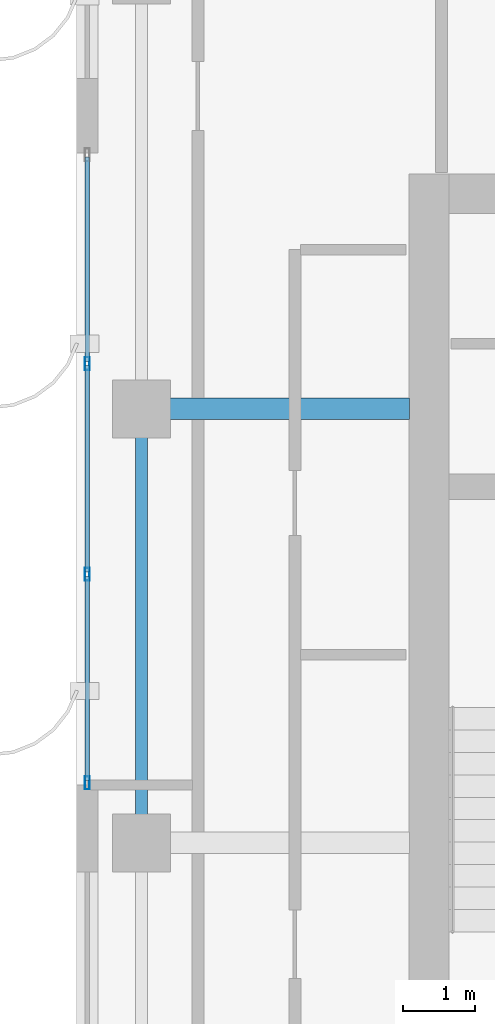
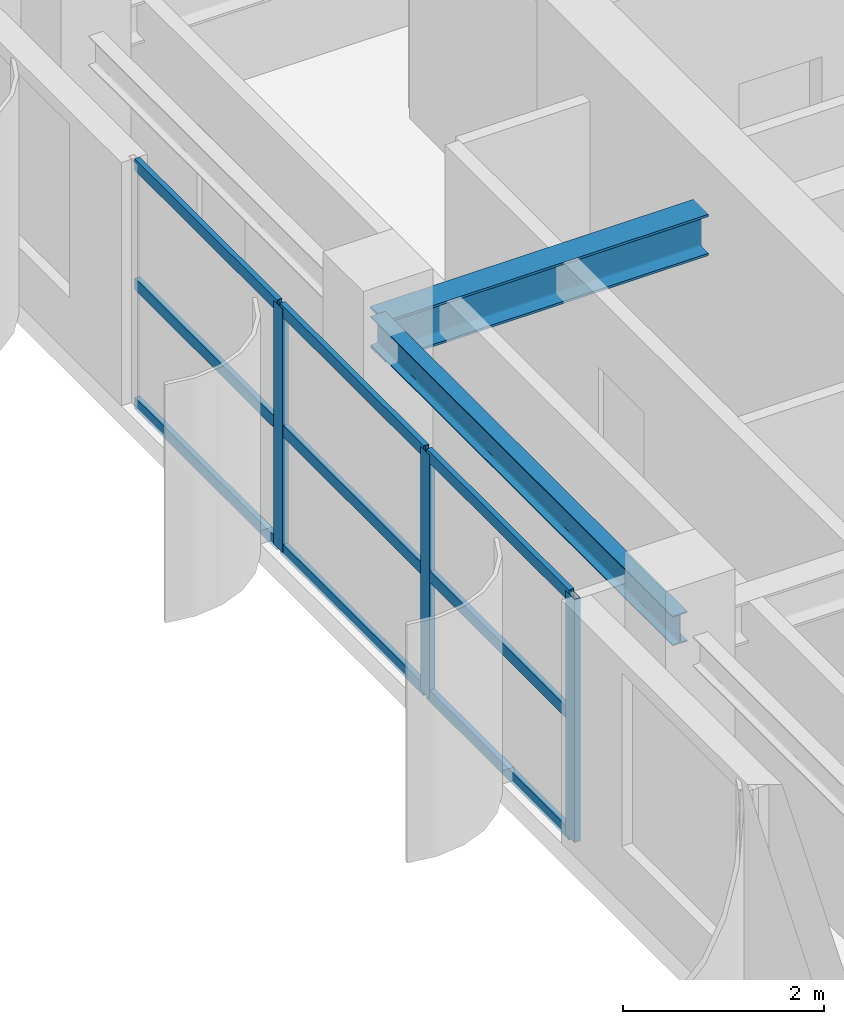
# One storey, part 7 of 25: 12 members, 2 beams, 1 element without a shape of its own.
"""IFC4 building model written with IfcOpenShell, lengths in metres."""

import ifcopenshell
import ifcopenshell.guid

model = None  # the IFC model being written
_history = None  # IfcOwnerHistory: only IFC2X3 demands one
_inside = {}  # id of a spatial element -> (the spatial element, [elements in it])
_under = {}  # id of a project, library or spatial element -> (it, [spatial elements below it])
_declared = {}  # id of a project -> (the project, [libraries it declares])
_typed = {}  # id of a type object -> (the type object, [elements of that type])
_made_of = {}  # id of a material, layer set ... -> (it, [elements and type objects made of it])


def new_model(schema):
    """Start an empty IFC model of exactly this schema.

    Asked for "IFC4X3", IfcOpenShell would pick the latest addendum, in which some entities
    have other attributes; the version numbers below select the first issue.
    IFC2X3 requires an IfcOwnerHistory on every rooted entity: one is made here for all.
    """
    global model, _history
    if schema == "IFC4X3":
        model = ifcopenshell.file(schema_version=(4, 3, 0, 0))
    else:
        model = ifcopenshell.file(schema=schema)
    _inside.clear()
    _under.clear()
    _declared.clear()
    _typed.clear()
    _made_of.clear()
    _history = None
    if model.schema == "IFC2X3":
        org = make("IfcOrganization", Name="unknown")
        user = make(
            "IfcPersonAndOrganization",
            ThePerson=make("IfcPerson", FamilyName="unknown"),
            TheOrganization=org,
        )
        app = make(
            "IfcApplication",
            ApplicationDeveloper=org,
            Version="unknown",
            ApplicationFullName="unknown",
            ApplicationIdentifier="unknown",
        )
        _history = make(
            "IfcOwnerHistory",
            OwningUser=user,
            OwningApplication=app,
            ChangeAction="ADDED",
            CreationDate=0,
        )
    return model


def make(cls, **values):
    """One entity of the class cls with the attributes given. An attribute that is None is left unset."""
    return model.create_entity(
        cls, **{name: value for name, value in values.items() if value is not None}
    )


def rooted(cls, **values):
    """An entity with a GlobalId (a new one), such as an element, a storey or a relation."""
    return make(cls, GlobalId=ifcopenshell.guid.new(), OwnerHistory=_history, **values)


def si_unit(unit_type, name, prefix=None):
    """IfcSIUnit, for example si_unit("LENGTHUNIT", "METRE", prefix="MILLI")."""
    return make("IfcSIUnit", UnitType=unit_type, Prefix=prefix, Name=name)


def assignment(units):
    """IfcUnitAssignment: the units of a project."""
    return None if units is None else make("IfcUnitAssignment", Units=units)


def point(xyz):
    """IfcCartesianPoint."""
    return None if xyz is None else make("IfcCartesianPoint", Coordinates=xyz)


def direction(xyz):
    """IfcDirection."""
    return None if xyz is None else make("IfcDirection", DirectionRatios=xyz)


def frame(location, z_axis=None, x_axis=None):
    """IfcAxis2Placement3D, a coordinate frame: its origin and axes. An axis left out is left unset."""
    return make(
        "IfcAxis2Placement3D",
        Location=point(location),
        Axis=direction(z_axis),
        RefDirection=direction(x_axis),
    )


def frame_2d(location, x_axis=None):
    """IfcAxis2Placement2D, a coordinate frame in the plane: its origin and x axis."""
    return make(
        "IfcAxis2Placement2D", Location=point(location), RefDirection=direction(x_axis)
    )


def origin():
    """The frame at (0, 0, 0) with its axes left unset."""
    return frame((0.0, 0.0, 0.0))


def origin_2d():
    """The frame at (0, 0) in the plane with its x axis left unset."""
    return frame_2d((0.0, 0.0))


def place(relative_to, where):
    """IfcLocalPlacement: puts the frame where relative to a parent placement (None: the world)."""
    return make(
        "IfcLocalPlacement", PlacementRelTo=relative_to, RelativePlacement=where
    )


def context(
    kind, dimensions, precision=None, world=None, true_north=None, identifier=None
):
    """IfcGeometricRepresentationContext, for example the 3D "Model" context."""
    return make(
        "IfcGeometricRepresentationContext",
        ContextIdentifier=identifier,
        ContextType=kind,
        CoordinateSpaceDimension=dimensions,
        Precision=precision,
        WorldCoordinateSystem=world,
        TrueNorth=true_north,
    )


def subcontext(parent, identifier, kind, view, scale=None):
    """IfcGeometricRepresentationSubContext, for example "Body" below "Model"."""
    return make(
        "IfcGeometricRepresentationSubContext",
        ContextIdentifier=identifier,
        ContextType=kind,
        ParentContext=parent,
        TargetScale=scale,
        TargetView=view,
    )


def project(units=None, contexts=None):
    """IfcProject with its units and contexts."""
    return rooted(
        "IfcProject",
        Name="project",
        RepresentationContexts=contexts,
        UnitsInContext=assignment(units),
    )


def spatial(cls, under=None, at=None, **own):
    """A site, building, storey or space (cls), placed at a placement, below another one or the project."""
    s = rooted(cls, ObjectPlacement=at, **own)
    if under is not None:
        _under.setdefault(under.id(), (under, []))[1].append(s)
    return s


def profile(cls, at=None, kind="AREA", **sizes):
    """A parametric profile (cls). Its sizes go by their IFC names, for example OverallWidth=200.0."""
    return make(cls, ProfileType=kind, Position=at, **sizes)


def hollow_rectangle(**sizes):
    """IfcRectangleHollowProfileDef."""
    return profile("IfcRectangleHollowProfileDef", **sizes)


def i_section(**sizes):
    """IfcIShapeProfileDef."""
    return profile("IfcIShapeProfileDef", **sizes)


def extrude(swept, where, along, depth):
    """IfcExtrudedAreaSolid: the profile swept, set in the frame where, extruded along a direction by depth."""
    return make(
        "IfcExtrudedAreaSolid",
        SweptArea=swept,
        Position=where,
        ExtrudedDirection=direction(along),
        Depth=depth,
    )


def shape(context_of_items, identifier, shape_type, items):
    """IfcShapeRepresentation: the items that make up one representation, for example the "Body"."""
    return make(
        "IfcShapeRepresentation",
        ContextOfItems=context_of_items,
        RepresentationIdentifier=identifier,
        RepresentationType=shape_type,
        Items=items,
    )


def source(mapping_origin, context_of_items, identifier, shape_type, items):
    """IfcRepresentationMap: a shape defined once, which mapped items show again and again."""
    return make(
        "IfcRepresentationMap",
        MappingOrigin=mapping_origin,
        MappedRepresentation=shape(context_of_items, identifier, shape_type, items),
    )


def transform(
    local_origin,
    x_axis=None,
    y_axis=None,
    z_axis=None,
    scale=None,
    scale2=None,
    scale3=None,
    uniform=True,
):
    """IfcCartesianTransformationOperator3D, or its non-uniform kind. x_axis, y_axis, z_axis: its Axis1, 2, 3."""
    if uniform:
        return make(
            "IfcCartesianTransformationOperator3D",
            Axis1=direction(x_axis),
            Axis2=direction(y_axis),
            LocalOrigin=point(local_origin),
            Scale=scale,
            Axis3=direction(z_axis),
        )
    return make(
        "IfcCartesianTransformationOperator3DnonUniform",
        Axis1=direction(x_axis),
        Axis2=direction(y_axis),
        LocalOrigin=point(local_origin),
        Scale=scale,
        Axis3=direction(z_axis),
        Scale2=scale2,
        Scale3=scale3,
    )


def mapped(mapping_source, mapping_target):
    """IfcMappedItem: shows the shape of a source again, moved by a transform."""
    return make(
        "IfcMappedItem", MappingSource=mapping_source, MappingTarget=mapping_target
    )


def material(Name=None, Category=None):
    """IfcMaterial."""
    return make("IfcMaterial", Name=Name, Category=Category)


def layer(
    of_material, thickness, ventilated=None, Name=None, Category=None, Priority=None
):
    """IfcMaterialLayer: one layer of a wall or slab, of a material (None: an air gap)."""
    return make(
        "IfcMaterialLayer",
        Material=of_material,
        LayerThickness=thickness,
        IsVentilated=ventilated,
        Name=Name,
        Category=Category,
        Priority=Priority,
    )


def layer_set(layers, Name=None):
    """IfcMaterialLayerSet."""
    return make("IfcMaterialLayerSet", MaterialLayers=layers, LayerSetName=Name)


def material_profile(
    of_material, cross_section, Name=None, Category=None, Priority=None
):
    """IfcMaterialProfile: a cross section and its material."""
    return make(
        "IfcMaterialProfile",
        Name=Name,
        Material=of_material,
        Profile=cross_section,
        Priority=Priority,
        Category=Category,
    )


def profile_set(profiles, Name=None, composite=None):
    """IfcMaterialProfileSet."""
    return make(
        "IfcMaterialProfileSet",
        Name=Name,
        MaterialProfiles=profiles,
        CompositeProfile=composite,
    )


def made_of(thing, what):
    """Note that an element or type object is made of a material, layer set ...; save() writes the relation."""
    if what is not None:
        _made_of.setdefault(what.id(), (what, []))[1].append(thing)
    return thing


def type_object(cls, material=None, **own):
    """A type object (cls), such as IfcWallType, which elements share."""
    return made_of(rooted(cls, **own), material)


def element(
    cls,
    number,
    at=None,
    inside=None,
    cuts=None,
    type_object=None,
    material=None,
    context=None,
    identifier="Body",
    shape_type=None,
    held_by="IfcProductDefinitionShape",
    body=None,
    shapes=None,
    **own,
):
    """One element of the class cls, such as IfcWall. Its Tag is "e" and its number.

    at: its placement. inside: the storey or other place that contains it. cuts: it is an
    opening in that element (IfcRelVoidsElement). A single representation is given by context,
    identifier, shape_type and body (its items); several are given by shapes. held_by: the class
    of the entity that holds the representations. save() writes the other relations.
    """
    e = rooted(cls, Tag="e%d" % number, ObjectPlacement=at, **own)
    if body is not None:
        shapes = [shape(context, identifier, shape_type, body)]
    if shapes is not None:
        e.Representation = make(held_by, Representations=shapes)
    if inside is not None:
        _inside.setdefault(inside.id(), (inside, []))[1].append(e)
    if cuts is not None:
        rooted(
            "IfcRelVoidsElement", RelatingBuildingElement=cuts, RelatedOpeningElement=e
        )
    if type_object is not None:
        _typed.setdefault(type_object.id(), (type_object, []))[1].append(e)
    return made_of(e, material)


def aggregate(whole, parts):
    """IfcRelAggregates: a whole, such as a stair, and the parts it consists of."""
    return rooted("IfcRelAggregates", RelatingObject=whole, RelatedObjects=parts)


def save(model, path):
    """Write the relations noted so far, then the file.

    IfcRelAggregates (storeys below a building ...), IfcRelContainedInSpatialStructure (elements
    in a storey), IfcRelDefinesByType, IfcRelAssociatesMaterial and IfcRelDeclares: one each for
    every whole, place, type object, material and project.
    """
    for whole, parts in _under.values():
        aggregate(whole, parts)
    for where, things in _inside.values():
        rooted(
            "IfcRelContainedInSpatialStructure",
            RelatedElements=things,
            RelatingStructure=where,
        )
    for kind, things in _typed.values():
        rooted("IfcRelDefinesByType", RelatedObjects=things, RelatingType=kind)
    for what, things in _made_of.values():
        rooted("IfcRelAssociatesMaterial", RelatedObjects=things, RelatingMaterial=what)
    for by, libraries in _declared.values():
        rooted("IfcRelDeclares", RelatingContext=by, RelatedDefinitions=libraries)
    model.write(path)


model = new_model("IFC4")

# Units and contexts
model_context = context("Model", 3, precision=1e-05, world=origin(), true_north=direction((0.0, 1.0)))
body_context = subcontext(model_context, "Body", "Model", "MODEL_VIEW")
ifc_project = project(units=[si_unit("LENGTHUNIT", "METRE"), si_unit("AREAUNIT", "SQUARE_METRE"), si_unit("VOLUMEUNIT", "CUBIC_METRE"), si_unit("PLANEANGLEUNIT", "RADIAN"), si_unit("MASSUNIT", "GRAM", prefix="KILO")], contexts=[model_context])

# Site, building, storey
site_placement = place(None, origin())
site = spatial("IfcSite", under=ifc_project, at=site_placement, CompositionType="ELEMENT")
building_placement = place(site_placement, origin())
building = spatial("IfcBuilding", under=site, at=building_placement, Name="Khoralis Quay Care Tower", CompositionType="ELEMENT")
storey_placement = place(building_placement, frame((0.0, 0.0, 263.699951171875)))
storey = spatial("IfcBuildingStorey", under=building, at=storey_placement, Name="L69", CompositionType="ELEMENT", Elevation=263.699951171875)

# Beams
ifc_material_1 = material(Name="Steel S355", Category="steel")
ifc_material_profile_1 = material_profile(ifc_material_1, i_section(OverallWidth=0.169921875, OverallDepth=0.360107421875, WebThickness=0.008056640625, FlangeThickness=0.0126953125, FilletRadius=0.01806640625, at=origin_2d()), Name="Steel S355")
ifc_profile_set_1 = profile_set([ifc_material_profile_1], Name="Steel S355")
beam_type_1 = type_object("IfcBeamType", Name="BM-IPE360", PredefinedType="SPANDREL", material=ifc_profile_set_1)
shared_shape_1 = source(origin(), body_context, "Body", "SweptSolid", [
    extrude(i_section(OverallWidth=0.169921875, OverallDepth=0.360107421875, WebThickness=0.008056640625, FlangeThickness=0.0126953125, FilletRadius=0.01806640625, at=origin_2d()), origin(), (0.0, 0.0, 1.0), 6.0),
])
beam_1_placement = place(storey_placement, frame((3.89990234375, 18.0, 2.77001953125), z_axis=(0.0, 1.0, 0.0), x_axis=(-1.0, 0.0, 0.0)))
element("IfcBeam", 1, at=beam_1_placement, inside=storey, type_object=beam_type_1, Name="BM-TSP-L69-08", PredefinedType="SPANDREL", context=body_context, shape_type="MappedRepresentation", body=[
    mapped(shared_shape_1, transform((0.0, 0.0, 0.0), scale=1.0)),
])
ifc_material_profile_2 = material_profile(ifc_material_1, i_section(OverallWidth=0.300048828125, OverallDepth=0.5, WebThickness=0.014404296875, FlangeThickness=0.028076171875, FilletRadius=0.027099609375, at=origin_2d()), Name="Steel S355")
ifc_profile_set_2 = profile_set([ifc_material_profile_2], Name="Steel S355")
beam_type_2 = type_object("IfcBeamType", Name="BM-HEB500", PredefinedType="BEAM", material=ifc_profile_set_2)
shared_shape_2 = source(origin(), body_context, "Body", "SweptSolid", [
    extrude(i_section(OverallWidth=0.300048828125, OverallDepth=0.5, WebThickness=0.014404296875, FlangeThickness=0.028076171875, FilletRadius=0.027099609375, at=origin_2d()), origin(), (0.0, 0.0, 1.0), 3.7021484375),
])
beam_2_placement = place(storey_placement, frame((3.89990234375, 24.0, 2.699951171875), z_axis=(1.0, 0.0, 0.0), x_axis=(0.0, 1.0, 0.0)))
element("IfcBeam", 2, at=beam_2_placement, inside=storey, type_object=beam_type_2, Name="BM-TGXW-L69-240", PredefinedType="BEAM", context=body_context, shape_type="MappedRepresentation", body=[
    mapped(shared_shape_2, transform((0.0, 0.0, 0.0), scale=1.0)),
])

# Curtain wall, members
ifc_material_2 = material(Name="Pale anodised aluminium", Category="aluminium")
ifc_layer = layer(ifc_material_2, 0.159912109375)
ifc_layer_set = layer_set([ifc_layer], Name="Pale anodised aluminium")
curtain_wall_type = type_object("IfcCurtainWallType", Name="CW-SYS-Z3", PredefinedType="NOTDEFINED", material=ifc_layer_set)
curtain_wall_placement = place(storey_placement, origin())
curtain_wall = element("IfcCurtainWall", 3, at=curtain_wall_placement, inside=storey, type_object=curtain_wall_type, Name="L69 Unitised Curtain Wall CW-L69-P1-E7", PredefinedType="NOTDEFINED")
ifc_material_profile_3 = material_profile(ifc_material_2, hollow_rectangle(XDim=0.06494140625, YDim=0.179931640625, WallThickness=0.00390625, at=origin_2d()), Name="Pale anodised aluminium")
ifc_profile_set_3 = profile_set([ifc_material_profile_3], Name="Pale anodised aluminium")
member_type_1 = type_object("IfcMemberType", Name="CW-MUL-180", PredefinedType="MULLION", material=ifc_profile_set_3)
shared_shape_3 = source(origin(), body_context, "Body", "SweptSolid", [
    extrude(hollow_rectangle(XDim=0.06494140625, YDim=0.179931640625, WallThickness=0.00390625, at=origin_2d()), origin(), (0.0, 0.0, 1.0), 2.949951171875),
])
member_1_placement = place(storey_placement, frame((3.14990234375, 24.626708984375, 0.0), z_axis=(0.0, 0.0, 1.0), x_axis=(1.0, 0.0, 0.0)))
member_1 = element("IfcMember", 4, at=member_1_placement, type_object=member_type_1, Name="CW3 mullion 2", PredefinedType="MULLION", context=body_context, shape_type="MappedRepresentation", body=[
    mapped(shared_shape_3, transform((0.0, 0.0, 0.0), scale=1.0)),
])
member_2_placement = place(storey_placement, frame((3.14990234375, 21.71337890625, 0.0), z_axis=(0.0, 0.0, 1.0), x_axis=(1.0, 0.0, 0.0)))
member_2 = element("IfcMember", 5, at=member_2_placement, type_object=member_type_1, Name="CW3 mullion 3", PredefinedType="MULLION", context=body_context, shape_type="MappedRepresentation", body=[
    mapped(shared_shape_3, transform((0.0, 0.0, 0.0), scale=1.0)),
])
member_3_placement = place(storey_placement, frame((3.14990234375, 18.830078125, 0.0), z_axis=(0.0, 0.0, 1.0), x_axis=(1.0, 0.0, 0.0)))
member_3 = element("IfcMember", 6, at=member_3_placement, type_object=member_type_1, Name="CW3 mullion 4", PredefinedType="MULLION", context=body_context, shape_type="MappedRepresentation", body=[
    mapped(shared_shape_3, transform((0.0, 0.0, 0.0), scale=1.0)),
])
ifc_material_profile_4 = material_profile(ifc_material_2, hollow_rectangle(XDim=0.06005859375, YDim=0.139892578125, WallThickness=0.00390625, at=origin_2d()), Name="Pale anodised aluminium")
ifc_profile_set_4 = profile_set([ifc_material_profile_4], Name="Pale anodised aluminium")
member_type_2 = type_object("IfcMemberType", Name="CW-TRN-140", PredefinedType="USERDEFINED", material=ifc_profile_set_4)
shared_shape_4 = source(origin(), body_context, "Body", "SweptSolid", [
    extrude(hollow_rectangle(XDim=0.06005859375, YDim=0.139892578125, WallThickness=0.00390625, at=origin_2d()), origin(), (0.0, 0.0, 1.0), 2.8232421875),
])
member_4_placement = place(storey_placement, frame((3.14990234375, 27.47998046875, 0.030029296875), z_axis=(0.0, -1.0, 0.0), x_axis=(1.0, 0.0, 0.0)))
member_4 = element("IfcMember", 7, at=member_4_placement, type_object=member_type_2, Name="CW3 transom 1.1", ObjectType="TRANSOM", PredefinedType="USERDEFINED", context=body_context, shape_type="MappedRepresentation", body=[
    mapped(shared_shape_4, transform((0.0, 0.0, 0.0), scale=1.0)),
])
member_5_placement = place(storey_placement, frame((3.14990234375, 27.47998046875, 1.47509765625), z_axis=(0.0, -1.0, 0.0), x_axis=(1.0, 0.0, 0.0)))
member_5 = element("IfcMember", 8, at=member_5_placement, type_object=member_type_2, Name="CW3 transom 1.2", ObjectType="TRANSOM", PredefinedType="USERDEFINED", context=body_context, shape_type="MappedRepresentation", body=[
    mapped(shared_shape_4, transform((0.0, 0.0, 0.0), scale=1.0)),
])
member_6_placement = place(storey_placement, frame((3.14990234375, 27.47998046875, 2.920166015625), z_axis=(0.0, -1.0, 0.0), x_axis=(1.0, 0.0, 0.0)))
member_6 = element("IfcMember", 9, at=member_6_placement, type_object=member_type_2, Name="CW3 transom 1.3", ObjectType="TRANSOM", PredefinedType="USERDEFINED", context=body_context, shape_type="MappedRepresentation", body=[
    mapped(shared_shape_4, transform((0.0, 0.0, 0.0), scale=1.0)),
])
member_7_placement = place(storey_placement, frame((3.14990234375, 21.683349609375, 0.030029296875), z_axis=(0.0, -1.0, 0.0), x_axis=(1.0, 0.0, 0.0)))
member_7 = element("IfcMember", 10, at=member_7_placement, type_object=member_type_2, Name="CW3 transom 3.1", ObjectType="TRANSOM", PredefinedType="USERDEFINED", context=body_context, shape_type="MappedRepresentation", body=[
    mapped(shared_shape_4, transform((0.0, 0.0, 0.0), scale=1.0)),
])
member_8_placement = place(storey_placement, frame((3.14990234375, 21.683349609375, 1.47509765625), z_axis=(0.0, -1.0, 0.0), x_axis=(1.0, 0.0, 0.0)))
member_8 = element("IfcMember", 11, at=member_8_placement, type_object=member_type_2, Name="CW3 transom 3.2", ObjectType="TRANSOM", PredefinedType="USERDEFINED", context=body_context, shape_type="MappedRepresentation", body=[
    mapped(shared_shape_4, transform((0.0, 0.0, 0.0), scale=1.0)),
])
member_9_placement = place(storey_placement, frame((3.14990234375, 21.683349609375, 2.920166015625), z_axis=(0.0, -1.0, 0.0), x_axis=(1.0, 0.0, 0.0)))
member_9 = element("IfcMember", 12, at=member_9_placement, type_object=member_type_2, Name="CW3 transom 3.3", ObjectType="TRANSOM", PredefinedType="USERDEFINED", context=body_context, shape_type="MappedRepresentation", body=[
    mapped(shared_shape_4, transform((0.0, 0.0, 0.0), scale=1.0)),
])
shared_shape_5 = source(origin(), body_context, "Body", "SweptSolid", [
    extrude(hollow_rectangle(XDim=0.06005859375, YDim=0.139892578125, WallThickness=0.00390625, at=origin_2d()), origin(), (0.0, 0.0, 1.0), 2.853271484375),
])
member_10_placement = place(storey_placement, frame((3.14990234375, 24.5966796875, 0.030029296875), z_axis=(0.0, -1.0, 0.0), x_axis=(1.0, 0.0, 0.0)))
member_10 = element("IfcMember", 13, at=member_10_placement, type_object=member_type_2, Name="CW3 transom 2.1", ObjectType="TRANSOM", PredefinedType="USERDEFINED", context=body_context, shape_type="MappedRepresentation", body=[
    mapped(shared_shape_5, transform((0.0, 0.0, 0.0), scale=1.0)),
])
member_11_placement = place(storey_placement, frame((3.14990234375, 24.5966796875, 1.47509765625), z_axis=(0.0, -1.0, 0.0), x_axis=(1.0, 0.0, 0.0)))
member_11 = element("IfcMember", 14, at=member_11_placement, type_object=member_type_2, Name="CW3 transom 2.2", ObjectType="TRANSOM", PredefinedType="USERDEFINED", context=body_context, shape_type="MappedRepresentation", body=[
    mapped(shared_shape_5, transform((0.0, 0.0, 0.0), scale=1.0)),
])
member_12_placement = place(storey_placement, frame((3.14990234375, 24.5966796875, 2.920166015625), z_axis=(0.0, -1.0, 0.0), x_axis=(1.0, 0.0, 0.0)))
member_12 = element("IfcMember", 15, at=member_12_placement, type_object=member_type_2, Name="CW3 transom 2.3", ObjectType="TRANSOM", PredefinedType="USERDEFINED", context=body_context, shape_type="MappedRepresentation", body=[
    mapped(shared_shape_5, transform((0.0, 0.0, 0.0), scale=1.0)),
])
aggregate(curtain_wall, [member_1, member_2, member_3, member_4, member_5, member_6, member_10, member_11, member_12, member_7, member_8, member_9])

save(model, "model.ifc")
